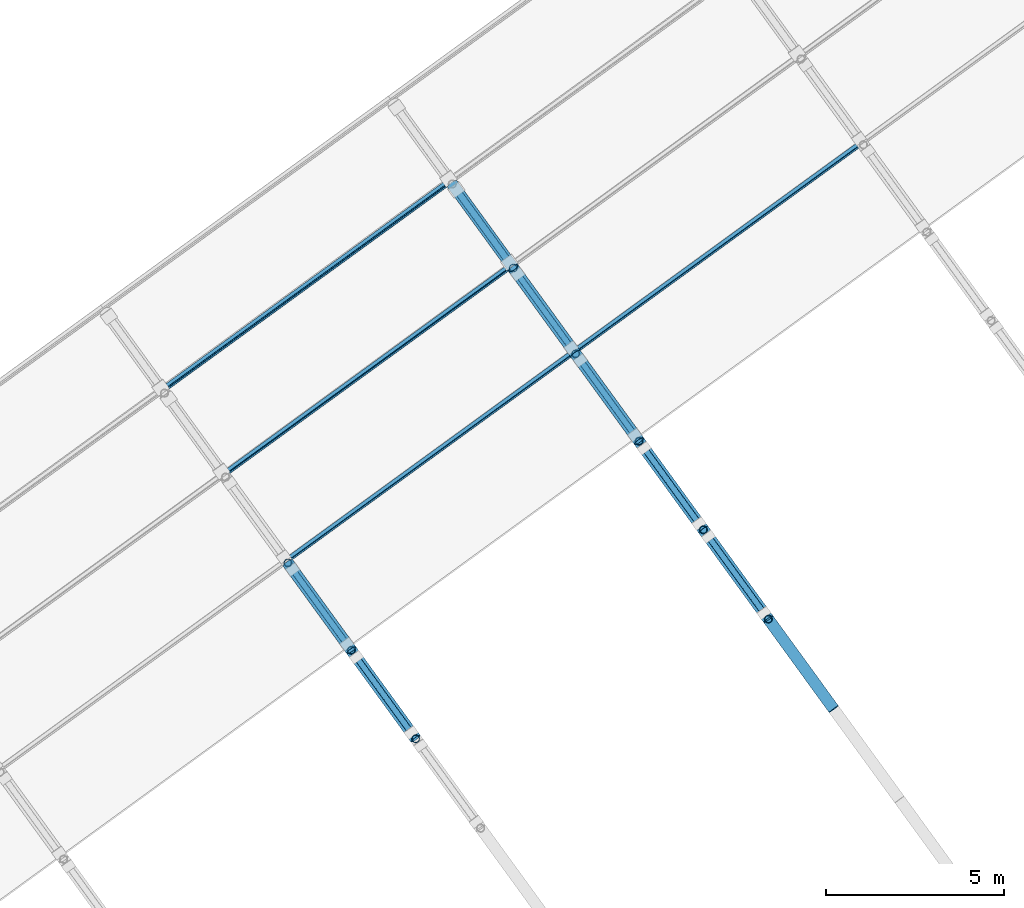
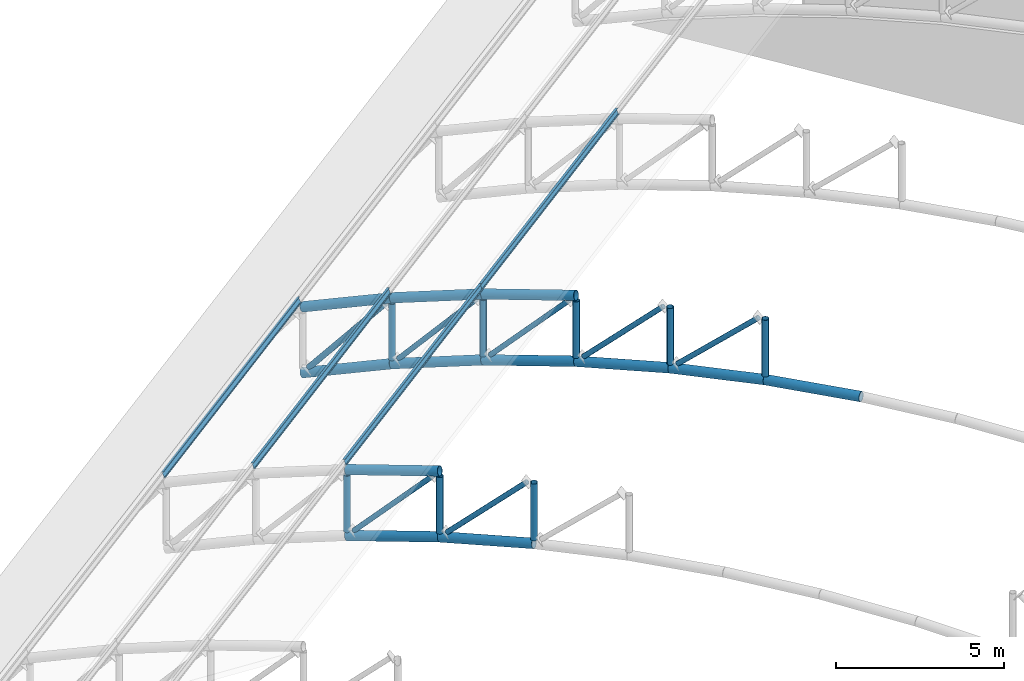
# One storey, part 27 of 69: 27 members, 4 beams.
"""IFC4 building model written with IfcOpenShell, lengths in metres."""

from ifc_helpers import new_model, si_unit, direction, frame, origin, origin_2d, place, context, subcontext, project, spatial, hollow_circle, i_section, extrude, material, material_profile, profile_set, type_object, element, save


model = new_model("IFC4")

# Units and contexts
model_context = context("Model", 3, precision=1e-05, world=origin(), true_north=direction((0.0, 1.0)))
body_context = subcontext(model_context, "Body", "Model", "MODEL_VIEW")
ifc_project = project(units=[si_unit("LENGTHUNIT", "METRE"), si_unit("AREAUNIT", "SQUARE_METRE"), si_unit("VOLUMEUNIT", "CUBIC_METRE"), si_unit("PLANEANGLEUNIT", "RADIAN"), si_unit("MASSUNIT", "GRAM", prefix="KILO")], contexts=[model_context])

# Site, building, storey
site_placement = place(None, origin())
site = spatial("IfcSite", under=ifc_project, at=site_placement, CompositionType="ELEMENT")
building_placement = place(site_placement, origin())
building = spatial("IfcBuilding", under=site, at=building_placement, Name="Okhra Congress Centre", CompositionType="ELEMENT")
storey_placement = place(building_placement, frame((0.0, 0.0, 16.800048828125)))
storey = spatial("IfcBuildingStorey", under=building, at=storey_placement, Name="L03", CompositionType="ELEMENT", Elevation=16.800048828125)

# Members
ifc_material_1 = material(Name="Steel S355J2H", Category="steel")
ifc_material_profile_1 = material_profile(ifc_material_1, hollow_circle(Radius=0.084228515625, WallThickness=0.00634765625, at=origin_2d()), Name="CHS 168.3x6.3")
ifc_profile_set_1 = profile_set([ifc_material_profile_1], Name="Steel S355J2H")
member_type_1 = type_object("IfcMemberType", Name="CHS 168.3x6.3", PredefinedType="BRACE", material=ifc_profile_set_1)
member_1_placement = place(storey_placement, frame((231.035888671875, 205.461181640625, 2.67236328125), z_axis=(0.418439949368, -0.575872140845, 0.702338441331), x_axis=(0.808987367589, 0.587826027904, 0.0)))
element("IfcMember", 1, at=member_1_placement, inside=storey, type_object=member_type_1, Name="Truss 4 diagonal 13", PredefinedType="BRACE", context=body_context, shape_type="SweptSolid", body=[
    extrude(hollow_circle(Radius=0.084228515625, WallThickness=0.00634765625, at=origin_2d()), origin(), (0.0, 0.0, 1.0), 3.658203125),
])
member_2_placement = place(storey_placement, frame((229.243896484375, 207.927734375, 1.861572265625), z_axis=(0.403566104127, -0.555431833884, 0.727069375994), x_axis=(0.809002272195, 0.587805515102, 0.0)))
element("IfcMember", 2, at=member_2_placement, inside=storey, type_object=member_type_1, Name="Truss 4 diagonal 14", PredefinedType="BRACE", context=body_context, shape_type="SweptSolid", body=[
    extrude(hollow_circle(Radius=0.084228515625, WallThickness=0.00634765625, at=origin_2d()), origin(), (0.0, 0.0, 1.0), 3.753662109375),
])
member_3_placement = place(storey_placement, frame((240.93408203125, 208.850830078125, 3.290283203125), z_axis=(0.432835381478, -0.595779555186, 0.676535478865), x_axis=(0.809032364404, 0.587764096681, 0.0)))
element("IfcMember", 3, at=member_3_placement, inside=storey, type_object=member_type_1, Name="Truss 5 diagonal 12", PredefinedType="BRACE", context=body_context, shape_type="SweptSolid", body=[
    extrude(hollow_circle(Radius=0.084228515625, WallThickness=0.00634765625, at=origin_2d()), origin(), (0.0, 0.0, 1.0), 3.579345703125),
])
member_4_placement = place(storey_placement, frame((239.126220703125, 211.339111328125, 2.67236328125), z_axis=(0.418384895313, -0.575888221671, 0.702358053641), x_axis=(0.809031950979, 0.587764665742, 0.0)))
element("IfcMember", 4, at=member_4_placement, inside=storey, type_object=member_type_1, Name="Truss 5 diagonal 13", PredefinedType="BRACE", context=body_context, shape_type="SweptSolid", body=[
    extrude(hollow_circle(Radius=0.084228515625, WallThickness=0.00634765625, at=origin_2d()), origin(), (0.0, 0.0, 1.0), 3.658203125),
])
member_5_placement = place(storey_placement, frame((237.333984375, 213.8056640625, 1.861572265625), z_axis=(0.403566104127, -0.555431833884, 0.727069375994), x_axis=(0.809002272195, 0.587805515102, 0.0)))
element("IfcMember", 5, at=member_5_placement, inside=storey, type_object=member_type_1, Name="Truss 5 diagonal 14", PredefinedType="BRACE", context=body_context, shape_type="SweptSolid", body=[
    extrude(hollow_circle(Radius=0.084228515625, WallThickness=0.00634765625, at=origin_2d()), origin(), (0.0, 0.0, 1.0), 3.753662109375),
])
member_6_placement = place(storey_placement, frame((235.573486328125, 216.228759765625, 0.876220703125), z_axis=(0.388305830606, -0.534492302501, 0.750690722258), x_axis=(0.809035390265, 0.587759931689, 0.0)))
element("IfcMember", 6, at=member_6_placement, inside=storey, type_object=member_type_1, Name="Truss 5 diagonal 15", PredefinedType="BRACE", context=body_context, shape_type="SweptSolid", body=[
    extrude(hollow_circle(Radius=0.084228515625, WallThickness=0.00634765625, at=origin_2d()), origin(), (0.0, 0.0, 1.0), 3.8427734375),
])
ifc_material_profile_2 = material_profile(ifc_material_1, hollow_circle(Radius=0.096923828125, WallThickness=0.010009765625, at=origin_2d()), Name="CHS 193.7x10")
ifc_profile_set_2 = profile_set([ifc_material_profile_2], Name="Steel S355J2H")
member_type_2 = type_object("IfcMemberType", Name="CHS 193.7x10", PredefinedType="BRACE", material=ifc_profile_set_2)
member_7_placement = place(storey_placement, frame((233.85009765625, 218.600830078125, -0.28076171875), z_axis=(0.3727521496, -0.513012647098, 0.773223033081), x_axis=(0.808997013889, 0.587812752089, 0.0)))
element("IfcMember", 7, at=member_7_placement, inside=storey, type_object=member_type_2, Name="Truss 5 diagonal 16", PredefinedType="BRACE", context=body_context, shape_type="SweptSolid", body=[
    extrude(hollow_circle(Radius=0.096923828125, WallThickness=0.010009765625, at=origin_2d()), origin(), (0.0, 0.0, 1.0), 3.95458984375),
])
ifc_material_profile_3 = material_profile(ifc_material_1, hollow_circle(Radius=0.109619140625, WallThickness=0.008056640625, at=origin_2d()), Name="CHS 219.1x8")
ifc_profile_set_3 = profile_set([ifc_material_profile_3], Name="Steel S355J2H")
member_type_3 = type_object("IfcMemberType", Name="CHS 219.1x8", PredefinedType="POST", material=ifc_profile_set_3)
member_8_placement = place(storey_placement, frame((232.69921875, 203.172119140625, 3.230712890625), z_axis=(0.0, 0.0, 1.0), x_axis=(1.0, 0.0, 0.0)))
element("IfcMember", 8, at=member_8_placement, inside=storey, type_object=member_type_3, Name="Truss 4 post 12", PredefinedType="POST", context=body_context, shape_type="SweptSolid", body=[
    extrude(hollow_circle(Radius=0.109619140625, WallThickness=0.008056640625, at=origin_2d()), origin(), (0.0, 0.0, 1.0), 2.067138671875),
])
member_9_placement = place(storey_placement, frame((230.890869140625, 205.660888671875, 2.597412109375), z_axis=(0.0, 0.0, 1.0), x_axis=(1.0, 0.0, 0.0)))
element("IfcMember", 9, at=member_9_placement, inside=storey, type_object=member_type_3, Name="Truss 4 post 13", PredefinedType="POST", context=body_context, shape_type="SweptSolid", body=[
    extrude(hollow_circle(Radius=0.109619140625, WallThickness=0.008056640625, at=origin_2d()), origin(), (0.0, 0.0, 1.0), 2.063232421875),
])
member_10_placement = place(storey_placement, frame((229.107666015625, 208.115478515625, 1.787109375), z_axis=(0.0, 0.0, 1.0), x_axis=(1.0, 0.0, 0.0)))
element("IfcMember", 10, at=member_10_placement, inside=storey, type_object=member_type_3, Name="Truss 4 post 14", PredefinedType="POST", context=body_context, shape_type="SweptSolid", body=[
    extrude(hollow_circle(Radius=0.109619140625, WallThickness=0.008056640625, at=origin_2d()), origin(), (0.0, 0.0, 1.0), 2.057861328125),
])
member_11_placement = place(storey_placement, frame((242.6162109375, 206.535400390625, 3.6845703125), z_axis=(0.0, 0.0, 1.0), x_axis=(1.0, 0.0, 0.0)))
element("IfcMember", 11, at=member_11_placement, inside=storey, type_object=member_type_3, Name="Truss 5 post 11", PredefinedType="POST", context=body_context, shape_type="SweptSolid", body=[
    extrude(hollow_circle(Radius=0.109619140625, WallThickness=0.008056640625, at=origin_2d()), origin(), (0.0, 0.0, 1.0), 2.06982421875),
])
member_12_placement = place(storey_placement, frame((240.789306640625, 209.0498046875, 3.230712890625), z_axis=(0.0, 0.0, 1.0), x_axis=(1.0, 0.0, 0.0)))
element("IfcMember", 12, at=member_12_placement, inside=storey, type_object=member_type_3, Name="Truss 5 post 12", PredefinedType="POST", context=body_context, shape_type="SweptSolid", body=[
    extrude(hollow_circle(Radius=0.109619140625, WallThickness=0.008056640625, at=origin_2d()), origin(), (0.0, 0.0, 1.0), 2.067138671875),
])
member_13_placement = place(storey_placement, frame((238.981201171875, 211.53857421875, 2.597412109375), z_axis=(0.0, 0.0, 1.0), x_axis=(1.0, 0.0, 0.0)))
element("IfcMember", 13, at=member_13_placement, inside=storey, type_object=member_type_3, Name="Truss 5 post 13", PredefinedType="POST", context=body_context, shape_type="SweptSolid", body=[
    extrude(hollow_circle(Radius=0.109619140625, WallThickness=0.008056640625, at=origin_2d()), origin(), (0.0, 0.0, 1.0), 2.063232421875),
])
member_14_placement = place(storey_placement, frame((237.19775390625, 213.993408203125, 1.787109375), z_axis=(0.0, 0.0, 1.0), x_axis=(1.0, 0.0, 0.0)))
element("IfcMember", 14, at=member_14_placement, inside=storey, type_object=member_type_3, Name="Truss 5 post 14", PredefinedType="POST", context=body_context, shape_type="SweptSolid", body=[
    extrude(hollow_circle(Radius=0.109619140625, WallThickness=0.008056640625, at=origin_2d()), origin(), (0.0, 0.0, 1.0), 2.057861328125),
])
member_15_placement = place(storey_placement, frame((235.445068359375, 216.405517578125, 0.80224609375), z_axis=(0.0, 0.0, 1.0), x_axis=(1.0, 0.0, 0.0)))
element("IfcMember", 15, at=member_15_placement, inside=storey, type_object=member_type_3, Name="Truss 5 post 15", PredefinedType="POST", context=body_context, shape_type="SweptSolid", body=[
    extrude(hollow_circle(Radius=0.109619140625, WallThickness=0.008056640625, at=origin_2d()), origin(), (0.0, 0.0, 1.0), 2.05126953125),
])
ifc_material_profile_4 = material_profile(ifc_material_1, hollow_circle(Radius=0.161865234375, WallThickness=0.012451171875, at=origin_2d()), Name="CHS 323.9x12.5")
ifc_profile_set_4 = profile_set([ifc_material_profile_4], Name="Steel S355J2H")
member_type_4 = type_object("IfcMemberType", Name="CHS 323.9x12.5", PredefinedType="CHORD", material=ifc_profile_set_4)
member_16_placement = place(storey_placement, frame((232.69921875, 203.172119140625, 3.064208984375), z_axis=(-0.575672570381, 0.792278409945, -0.202227626317), x_axis=(-0.808993389874, -0.587817739729, 0.0)))
element("IfcMember", 16, at=member_16_placement, inside=storey, type_object=member_type_4, Name="Truss 4 bottom chord 13", PredefinedType="CHORD", context=body_context, shape_type="SweptSolid", body=[
    extrude(hollow_circle(Radius=0.161865234375, WallThickness=0.012451171875, at=origin_2d()), origin(), (0.0, 0.0, 1.0), 3.141357421875),
])
for number, where, z_axis, x_axis, name in (
    (17, (230.890869140625, 205.660888671875, 2.428955078125), (-0.567721342832, 0.781471848416, -0.258832430398), (-0.809042194464, -0.587750565781, 0.0), "Truss 4 bottom chord 14"),
    (18, (230.890869140625, 205.660888671875, 4.8291015625), (-0.567721342832, 0.781471848416, -0.258832430398), (-0.809042194464, -0.587750565781, 0.0), "Truss 4 top chord 14"),
    (19, (244.455322265625, 204.00390625, 3.793212890625), (-0.585523302268, 0.805959262076, -0.087132831786), (-0.809036267872, -0.587758723684, 0.0), "Truss 5 bottom chord 11"),
):
    element("IfcMember", number, at=place(storey_placement, frame(where, z_axis=z_axis, x_axis=x_axis)), inside=storey, type_object=member_type_4, Name=name, PredefinedType="CHORD", context=body_context, shape_type="SweptSolid", body=[
        extrude(hollow_circle(Radius=0.161865234375, WallThickness=0.012451171875, at=origin_2d()), origin(), (0.0, 0.0, 1.0), 3.140869140625),
    ])
for number, where, z_axis, x_axis, name in (
    (20, (242.6162109375, 206.535400390625, 3.51953125), (-0.581594707866, 0.800460229362, -0.144951774712), (-0.809004349852, -0.587802655592, 0.0), "Truss 5 bottom chord 12"),
    (21, (240.789306640625, 209.0498046875, 3.064208984375), (-0.575620603169, 0.792313857508, -0.202236674243), (-0.80903112876, -0.587765797488, 0.0), "Truss 5 bottom chord 13"),
):
    element("IfcMember", number, at=place(storey_placement, frame(where, z_axis=z_axis, x_axis=x_axis)), inside=storey, type_object=member_type_4, Name=name, PredefinedType="CHORD", context=body_context, shape_type="SweptSolid", body=[
        extrude(hollow_circle(Radius=0.161865234375, WallThickness=0.012451171875, at=origin_2d()), origin(), (0.0, 0.0, 1.0), 3.14111328125),
    ])
for number, where, z_axis, x_axis, name in (
    (22, (238.981201171875, 211.53857421875, 2.428955078125), (-0.567739531502, 0.781467623443, -0.258805289514), (-0.809031729281, -0.5877649709, 0.0), "Truss 5 bottom chord 14"),
    (23, (238.981201171875, 211.53857421875, 4.8291015625), (-0.567739531502, 0.781467623443, -0.258805289514), (-0.809031729281, -0.5877649709, 0.0), "Truss 5 top chord 14"),
):
    element("IfcMember", number, at=place(storey_placement, frame(where, z_axis=z_axis, x_axis=x_axis)), inside=storey, type_object=member_type_4, Name=name, PredefinedType="CHORD", context=body_context, shape_type="SweptSolid", body=[
        extrude(hollow_circle(Radius=0.161865234375, WallThickness=0.012451171875, at=origin_2d()), origin(), (0.0, 0.0, 1.0), 3.141357421875),
    ])
for number, where, z_axis, x_axis, name in (
    (24, (237.19775390625, 213.993408203125, 1.615966796875), (-0.557987850895, 0.767923104449, -0.314553117784), (-0.808987408201, -0.587825972012, 0.0), "Truss 5 bottom chord 15"),
    (25, (237.19775390625, 213.993408203125, 4.01611328125), (-0.557987850895, 0.767923104449, -0.314553117784), (-0.808987408201, -0.587825972012, 0.0), "Truss 5 top chord 15"),
    (26, (235.445068359375, 216.405517578125, 0.6279296875), (-0.546233373681, 0.751886974528, -0.369181634175), (-0.809039757938, -0.58775391966, 0.0), "Truss 5 bottom chord 16"),
):
    element("IfcMember", number, at=place(storey_placement, frame(where, z_axis=z_axis, x_axis=x_axis)), inside=storey, type_object=member_type_4, Name=name, PredefinedType="CHORD", context=body_context, shape_type="SweptSolid", body=[
        extrude(hollow_circle(Radius=0.161865234375, WallThickness=0.012451171875, at=origin_2d()), origin(), (0.0, 0.0, 1.0), 3.14111328125),
    ])
member_17_placement = place(storey_placement, frame((235.445068359375, 216.405517578125, 3.028076171875), z_axis=(-0.546217699248, 0.751865398766, -0.369248760548), x_axis=(-0.809039757938, -0.58775391966, 0.0)))
element("IfcMember", 27, at=member_17_placement, inside=storey, type_object=member_type_4, Name="Truss 5 top chord 16", PredefinedType="CHORD", context=body_context, shape_type="SweptSolid", body=[
    extrude(hollow_circle(Radius=0.161865234375, WallThickness=0.012451171875, at=origin_2d()), origin(), (0.0, 0.0, 1.0), 3.141357421875),
])

# Beams
ifc_material_2 = material(Name="Steel S355J2", Category="steel")
ifc_material_profile_5 = material_profile(ifc_material_2, i_section(OverallWidth=0.10009765625, OverallDepth=0.199951171875, WebThickness=0.005615234375, FlangeThickness=0.008544921875, FilletRadius=0.011962890625, at=origin_2d()), Name="IPE 200")
ifc_profile_set_5 = profile_set([ifc_material_profile_5], Name="Steel S355J2")
beam_type = type_object("IfcBeamType", Name="IPE 200", PredefinedType="BEAM", material=ifc_profile_set_5)
beam_1_placement = place(storey_placement, frame((229.06396484375, 208.175537109375, 4.26416015625), z_axis=(0.809010490052, 0.58779420462, 0.0), x_axis=(-0.563100683425, 0.775023564822, -0.286803232717)))
element("IfcBeam", 28, at=beam_1_placement, inside=storey, type_object=beam_type, Name="Purlin 15.88", PredefinedType="BEAM", context=body_context, shape_type="SweptSolid", body=[
    extrude(i_section(OverallWidth=0.10009765625, OverallDepth=0.199951171875, WebThickness=0.005615234375, FlangeThickness=0.008544921875, FilletRadius=0.011962890625, at=origin_2d()), origin(), (0.0, 0.0, 1.0), 10.0),
])
beam_2_placement = place(storey_placement, frame((237.154052734375, 214.053466796875, 4.26416015625), z_axis=(0.809022099746, 0.587778225288, 0.0), x_axis=(-0.563085375393, 0.775034686786, -0.286803232717)))
element("IfcBeam", 29, at=beam_2_placement, inside=storey, type_object=beam_type, Name="Purlin 15.89", PredefinedType="BEAM", context=body_context, shape_type="SweptSolid", body=[
    extrude(i_section(OverallWidth=0.10009765625, OverallDepth=0.199951171875, WebThickness=0.005615234375, FlangeThickness=0.008544921875, FilletRadius=0.011962890625, at=origin_2d()), origin(), (0.0, 0.0, 1.0), 9.999755859375),
])
for number, where, z_axis, x_axis, name in (
    (30, (227.302978515625, 210.599365234375, 3.271240234375), (0.809010490052, 0.58779420462, 0.0), (-0.552345876622, 0.760221187641, -0.342020143326), "Purlin 16.94"),
    (31, (225.578857421875, 212.972412109375, 2.10595703125), (0.809010490052, 0.58779420462, 0.0), (-0.539722106215, 0.742846462603, -0.396079766034), "Purlin 17.100"),
):
    element("IfcBeam", number, at=place(storey_placement, frame(where, z_axis=z_axis, x_axis=x_axis)), inside=storey, type_object=beam_type, Name=name, PredefinedType="BEAM", context=body_context, shape_type="SweptSolid", body=[
        extrude(i_section(OverallWidth=0.10009765625, OverallDepth=0.199951171875, WebThickness=0.005615234375, FlangeThickness=0.008544921875, FilletRadius=0.011962890625, at=origin_2d()), origin(), (0.0, 0.0, 1.0), 10.0),
    ])

save(model, "model.ifc")
